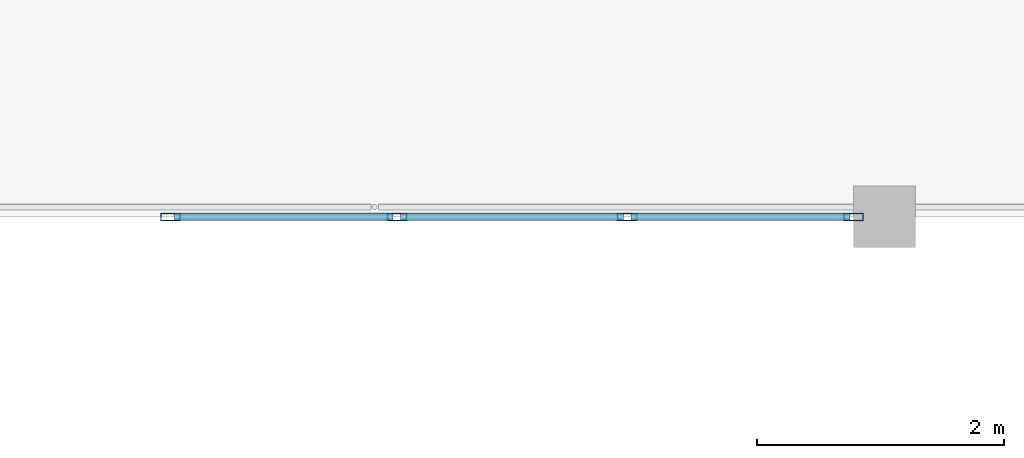
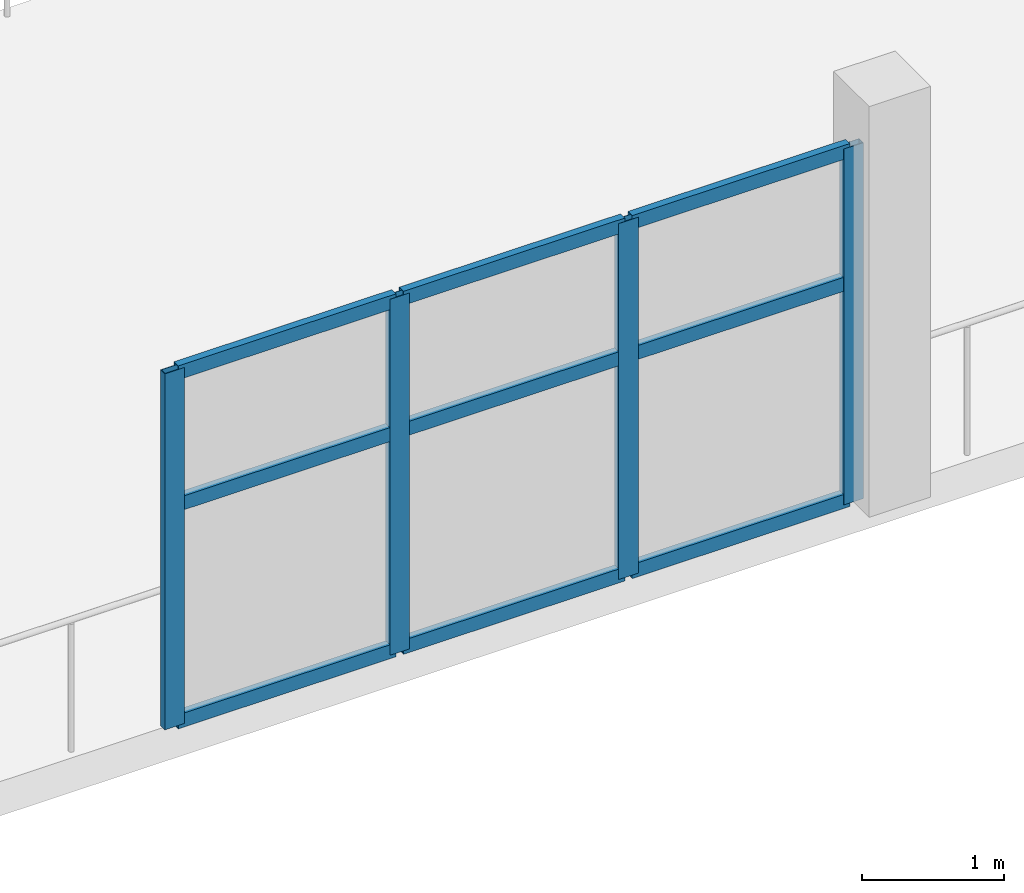
# One storey, part 29 of 128: 13 members, 1 element without a shape of its own.
"""IFC4 building model written with IfcOpenShell, lengths in metres."""

import ifcopenshell
import ifcopenshell.guid

model = None  # the IFC model being written
_history = None  # IfcOwnerHistory: only IFC2X3 demands one
_inside = {}  # id of a spatial element -> (the spatial element, [elements in it])
_under = {}  # id of a project, library or spatial element -> (it, [spatial elements below it])
_declared = {}  # id of a project -> (the project, [libraries it declares])
_typed = {}  # id of a type object -> (the type object, [elements of that type])
_made_of = {}  # id of a material, layer set ... -> (it, [elements and type objects made of it])


def new_model(schema):
    """Start an empty IFC model of exactly this schema.

    Asked for "IFC4X3", IfcOpenShell would pick the latest addendum, in which some entities
    have other attributes; the version numbers below select the first issue.
    IFC2X3 requires an IfcOwnerHistory on every rooted entity: one is made here for all.
    """
    global model, _history
    if schema == "IFC4X3":
        model = ifcopenshell.file(schema_version=(4, 3, 0, 0))
    else:
        model = ifcopenshell.file(schema=schema)
    _inside.clear()
    _under.clear()
    _declared.clear()
    _typed.clear()
    _made_of.clear()
    _history = None
    if model.schema == "IFC2X3":
        org = make("IfcOrganization", Name="unknown")
        user = make(
            "IfcPersonAndOrganization",
            ThePerson=make("IfcPerson", FamilyName="unknown"),
            TheOrganization=org,
        )
        app = make(
            "IfcApplication",
            ApplicationDeveloper=org,
            Version="unknown",
            ApplicationFullName="unknown",
            ApplicationIdentifier="unknown",
        )
        _history = make(
            "IfcOwnerHistory",
            OwningUser=user,
            OwningApplication=app,
            ChangeAction="ADDED",
            CreationDate=0,
        )
    return model


def make(cls, **values):
    """One entity of the class cls with the attributes given. An attribute that is None is left unset."""
    return model.create_entity(
        cls, **{name: value for name, value in values.items() if value is not None}
    )


def rooted(cls, **values):
    """An entity with a GlobalId (a new one), such as an element, a storey or a relation."""
    return make(cls, GlobalId=ifcopenshell.guid.new(), OwnerHistory=_history, **values)


def si_unit(unit_type, name, prefix=None):
    """IfcSIUnit, for example si_unit("LENGTHUNIT", "METRE", prefix="MILLI")."""
    return make("IfcSIUnit", UnitType=unit_type, Prefix=prefix, Name=name)


def assignment(units):
    """IfcUnitAssignment: the units of a project."""
    return None if units is None else make("IfcUnitAssignment", Units=units)


def point(xyz):
    """IfcCartesianPoint."""
    return None if xyz is None else make("IfcCartesianPoint", Coordinates=xyz)


def direction(xyz):
    """IfcDirection."""
    return None if xyz is None else make("IfcDirection", DirectionRatios=xyz)


def frame(location, z_axis=None, x_axis=None):
    """IfcAxis2Placement3D, a coordinate frame: its origin and axes. An axis left out is left unset."""
    return make(
        "IfcAxis2Placement3D",
        Location=point(location),
        Axis=direction(z_axis),
        RefDirection=direction(x_axis),
    )


def frame_2d(location, x_axis=None):
    """IfcAxis2Placement2D, a coordinate frame in the plane: its origin and x axis."""
    return make(
        "IfcAxis2Placement2D", Location=point(location), RefDirection=direction(x_axis)
    )


def origin():
    """The frame at (0, 0, 0) with its axes left unset."""
    return frame((0.0, 0.0, 0.0))


def origin_2d():
    """The frame at (0, 0) in the plane with its x axis left unset."""
    return frame_2d((0.0, 0.0))


def place(relative_to, where):
    """IfcLocalPlacement: puts the frame where relative to a parent placement (None: the world)."""
    return make(
        "IfcLocalPlacement", PlacementRelTo=relative_to, RelativePlacement=where
    )


def context(
    kind, dimensions, precision=None, world=None, true_north=None, identifier=None
):
    """IfcGeometricRepresentationContext, for example the 3D "Model" context."""
    return make(
        "IfcGeometricRepresentationContext",
        ContextIdentifier=identifier,
        ContextType=kind,
        CoordinateSpaceDimension=dimensions,
        Precision=precision,
        WorldCoordinateSystem=world,
        TrueNorth=true_north,
    )


def subcontext(parent, identifier, kind, view, scale=None):
    """IfcGeometricRepresentationSubContext, for example "Body" below "Model"."""
    return make(
        "IfcGeometricRepresentationSubContext",
        ContextIdentifier=identifier,
        ContextType=kind,
        ParentContext=parent,
        TargetScale=scale,
        TargetView=view,
    )


def project(units=None, contexts=None):
    """IfcProject with its units and contexts."""
    return rooted(
        "IfcProject",
        Name="project",
        RepresentationContexts=contexts,
        UnitsInContext=assignment(units),
    )


def spatial(cls, under=None, at=None, **own):
    """A site, building, storey or space (cls), placed at a placement, below another one or the project."""
    s = rooted(cls, ObjectPlacement=at, **own)
    if under is not None:
        _under.setdefault(under.id(), (under, []))[1].append(s)
    return s


def profile(cls, at=None, kind="AREA", **sizes):
    """A parametric profile (cls). Its sizes go by their IFC names, for example OverallWidth=200.0."""
    return make(cls, ProfileType=kind, Position=at, **sizes)


def hollow_rectangle(**sizes):
    """IfcRectangleHollowProfileDef."""
    return profile("IfcRectangleHollowProfileDef", **sizes)


def extrude(swept, where, along, depth):
    """IfcExtrudedAreaSolid: the profile swept, set in the frame where, extruded along a direction by depth."""
    return make(
        "IfcExtrudedAreaSolid",
        SweptArea=swept,
        Position=where,
        ExtrudedDirection=direction(along),
        Depth=depth,
    )


def shape(context_of_items, identifier, shape_type, items):
    """IfcShapeRepresentation: the items that make up one representation, for example the "Body"."""
    return make(
        "IfcShapeRepresentation",
        ContextOfItems=context_of_items,
        RepresentationIdentifier=identifier,
        RepresentationType=shape_type,
        Items=items,
    )


def material(Name=None, Category=None):
    """IfcMaterial."""
    return make("IfcMaterial", Name=Name, Category=Category)


def material_profile(
    of_material, cross_section, Name=None, Category=None, Priority=None
):
    """IfcMaterialProfile: a cross section and its material."""
    return make(
        "IfcMaterialProfile",
        Name=Name,
        Material=of_material,
        Profile=cross_section,
        Priority=Priority,
        Category=Category,
    )


def profile_set(profiles, Name=None, composite=None):
    """IfcMaterialProfileSet."""
    return make(
        "IfcMaterialProfileSet",
        Name=Name,
        MaterialProfiles=profiles,
        CompositeProfile=composite,
    )


def made_of(thing, what):
    """Note that an element or type object is made of a material, layer set ...; save() writes the relation."""
    if what is not None:
        _made_of.setdefault(what.id(), (what, []))[1].append(thing)
    return thing


def type_object(cls, material=None, **own):
    """A type object (cls), such as IfcWallType, which elements share."""
    return made_of(rooted(cls, **own), material)


def element(
    cls,
    number,
    at=None,
    inside=None,
    cuts=None,
    type_object=None,
    material=None,
    context=None,
    identifier="Body",
    shape_type=None,
    held_by="IfcProductDefinitionShape",
    body=None,
    shapes=None,
    **own,
):
    """One element of the class cls, such as IfcWall. Its Tag is "e" and its number.

    at: its placement. inside: the storey or other place that contains it. cuts: it is an
    opening in that element (IfcRelVoidsElement). A single representation is given by context,
    identifier, shape_type and body (its items); several are given by shapes. held_by: the class
    of the entity that holds the representations. save() writes the other relations.
    """
    e = rooted(cls, Tag="e%d" % number, ObjectPlacement=at, **own)
    if body is not None:
        shapes = [shape(context, identifier, shape_type, body)]
    if shapes is not None:
        e.Representation = make(held_by, Representations=shapes)
    if inside is not None:
        _inside.setdefault(inside.id(), (inside, []))[1].append(e)
    if cuts is not None:
        rooted(
            "IfcRelVoidsElement", RelatingBuildingElement=cuts, RelatedOpeningElement=e
        )
    if type_object is not None:
        _typed.setdefault(type_object.id(), (type_object, []))[1].append(e)
    return made_of(e, material)


def aggregate(whole, parts):
    """IfcRelAggregates: a whole, such as a stair, and the parts it consists of."""
    return rooted("IfcRelAggregates", RelatingObject=whole, RelatedObjects=parts)


def save(model, path):
    """Write the relations noted so far, then the file.

    IfcRelAggregates (storeys below a building ...), IfcRelContainedInSpatialStructure (elements
    in a storey), IfcRelDefinesByType, IfcRelAssociatesMaterial and IfcRelDeclares: one each for
    every whole, place, type object, material and project.
    """
    for whole, parts in _under.values():
        aggregate(whole, parts)
    for where, things in _inside.values():
        rooted(
            "IfcRelContainedInSpatialStructure",
            RelatedElements=things,
            RelatingStructure=where,
        )
    for kind, things in _typed.values():
        rooted("IfcRelDefinesByType", RelatedObjects=things, RelatingType=kind)
    for what, things in _made_of.values():
        rooted("IfcRelAssociatesMaterial", RelatedObjects=things, RelatingMaterial=what)
    for by, libraries in _declared.values():
        rooted("IfcRelDeclares", RelatingContext=by, RelatedDefinitions=libraries)
    model.write(path)


model = new_model("IFC4")

# Units and contexts
model_context = context("Model", 3, precision=1e-05, world=origin(), true_north=direction((0.0, 1.0)))
body_context = subcontext(model_context, "Body", "Model", "MODEL_VIEW")
ifc_project = project(units=[si_unit("LENGTHUNIT", "METRE"), si_unit("AREAUNIT", "SQUARE_METRE"), si_unit("VOLUMEUNIT", "CUBIC_METRE"), si_unit("PLANEANGLEUNIT", "RADIAN"), si_unit("MASSUNIT", "GRAM", prefix="KILO")], contexts=[model_context])

# Site, building, storey
site_placement = place(None, origin())
site = spatial("IfcSite", under=ifc_project, at=site_placement, CompositionType="ELEMENT")
building_placement = place(site_placement, origin())
building = spatial("IfcBuilding", under=site, at=building_placement, Name="Tanwirah Colonnade Gardens", CompositionType="ELEMENT")
storey_placement = place(building_placement, frame((0.0, 0.0, 4.760009765625)))
storey = spatial("IfcBuildingStorey", under=building, at=storey_placement, Name="L01", CompositionType="ELEMENT", Elevation=4.760009765625)

# Curtain wall, members
ifc_material_1 = material(Name="Bronze-anodised aluminium and solar-control low-E glass", Category="aluminium")
curtain_wall_type = type_object("IfcCurtainWallType", Name="CW-HALL", PredefinedType="NOTDEFINED", material=ifc_material_1)
curtain_wall_placement = place(storey_placement, origin())
curtain_wall = element("IfcCurtainWall", 1, at=curtain_wall_placement, inside=storey, type_object=curtain_wall_type, Name="Curtain Wall CW-HALL-L01-S-2", PredefinedType="NOTDEFINED")
ifc_material_2 = material(Name="Bronze-anodised aluminium", Category="aluminium")
ifc_material_profile_1 = material_profile(ifc_material_2, hollow_rectangle(XDim=0.06005859375, YDim=0.159912109375, WallThickness=0.00390625, at=origin_2d()), Name="CW-MUL 60x160x4")
ifc_profile_set_1 = profile_set([ifc_material_profile_1], Name="Bronze-anodised aluminium")
member_type_1 = type_object("IfcMemberType", Name="CWM-60x160", PredefinedType="MULLION", material=ifc_profile_set_1)
member_1_placement = place(storey_placement, frame((93.429931640625, 39.800048828125, 0.0), z_axis=(0.0, 0.0, 1.0), x_axis=(0.0, 1.0, 0.0)))
member_1 = element("IfcMember", 2, at=member_1_placement, type_object=member_type_1, Name="CW-HALL mullion 1", PredefinedType="MULLION", context=body_context, shape_type="SweptSolid", body=[
    extrude(hollow_rectangle(XDim=0.06005859375, YDim=0.159912109375, WallThickness=0.00390625, at=origin_2d()), origin(), (0.0, 0.0, 1.0), 3.06005859375),
])
member_2_placement = place(storey_placement, frame((95.260009765625, 39.800048828125, 0.0), z_axis=(0.0, 0.0, 1.0), x_axis=(0.0, 1.0, 0.0)))
member_2 = element("IfcMember", 3, at=member_2_placement, type_object=member_type_1, Name="CW-HALL mullion 2", PredefinedType="MULLION", context=body_context, shape_type="SweptSolid", body=[
    extrude(hollow_rectangle(XDim=0.06005859375, YDim=0.159912109375, WallThickness=0.00390625, at=origin_2d()), origin(), (0.0, 0.0, 1.0), 3.06005859375),
])
member_3_placement = place(storey_placement, frame((97.1201171875, 39.800048828125, 0.0), z_axis=(0.0, 0.0, 1.0), x_axis=(0.0, 1.0, 0.0)))
member_3 = element("IfcMember", 4, at=member_3_placement, type_object=member_type_1, Name="CW-HALL mullion 3", PredefinedType="MULLION", context=body_context, shape_type="SweptSolid", body=[
    extrude(hollow_rectangle(XDim=0.06005859375, YDim=0.159912109375, WallThickness=0.00390625, at=origin_2d()), origin(), (0.0, 0.0, 1.0), 3.06005859375),
])
member_4_placement = place(storey_placement, frame((98.949951171875, 39.800048828125, 0.0), z_axis=(0.0, 0.0, 1.0), x_axis=(0.0, 1.0, 0.0)))
member_4 = element("IfcMember", 5, at=member_4_placement, type_object=member_type_1, Name="CW-HALL mullion 4", PredefinedType="MULLION", context=body_context, shape_type="SweptSolid", body=[
    extrude(hollow_rectangle(XDim=0.06005859375, YDim=0.159912109375, WallThickness=0.00390625, at=origin_2d()), origin(), (0.0, 0.0, 1.0), 3.06005859375),
])
ifc_material_profile_2 = material_profile(ifc_material_2, hollow_rectangle(XDim=0.06005859375, YDim=0.1201171875, WallThickness=0.00390625, at=origin_2d()), Name="CW-TRN 60x120x4")
ifc_profile_set_2 = profile_set([ifc_material_profile_2], Name="Bronze-anodised aluminium")
member_type_2 = type_object("IfcMemberType", Name="CWT-60x120", PredefinedType="USERDEFINED", material=ifc_profile_set_2)
member_5_placement = place(storey_placement, frame((93.4599609375, 39.800048828125, 0.030029296875), z_axis=(1.0, 0.0, 0.0), x_axis=(0.0, 1.0, 0.0)))
member_5 = element("IfcMember", 6, at=member_5_placement, type_object=member_type_2, Name="CW-HALL transom 1.1", ObjectType="TRANSOM", PredefinedType="USERDEFINED", context=body_context, shape_type="SweptSolid", body=[
    extrude(hollow_rectangle(XDim=0.06005859375, YDim=0.1201171875, WallThickness=0.00390625, at=origin_2d()), origin(), (0.0, 0.0, 1.0), 1.77001953125),
])
member_6_placement = place(storey_placement, frame((93.4599609375, 39.800048828125, 1.897216796875), z_axis=(1.0, 0.0, 0.0), x_axis=(0.0, 1.0, 0.0)))
member_6 = element("IfcMember", 7, at=member_6_placement, type_object=member_type_2, Name="CW-HALL transom 1.2", ObjectType="TRANSOM", PredefinedType="USERDEFINED", context=body_context, shape_type="SweptSolid", body=[
    extrude(hollow_rectangle(XDim=0.06005859375, YDim=0.1201171875, WallThickness=0.00390625, at=origin_2d()), origin(), (0.0, 0.0, 1.0), 1.77001953125),
])
member_7_placement = place(storey_placement, frame((93.4599609375, 39.800048828125, 3.030029296875), z_axis=(1.0, 0.0, 0.0), x_axis=(0.0, 1.0, 0.0)))
member_7 = element("IfcMember", 8, at=member_7_placement, type_object=member_type_2, Name="CW-HALL transom 1.3", ObjectType="TRANSOM", PredefinedType="USERDEFINED", context=body_context, shape_type="SweptSolid", body=[
    extrude(hollow_rectangle(XDim=0.06005859375, YDim=0.1201171875, WallThickness=0.00390625, at=origin_2d()), origin(), (0.0, 0.0, 1.0), 1.77001953125),
])
member_8_placement = place(storey_placement, frame((95.2900390625, 39.800048828125, 0.030029296875), z_axis=(1.0, 0.0, 0.0), x_axis=(0.0, 1.0, 0.0)))
member_8 = element("IfcMember", 9, at=member_8_placement, type_object=member_type_2, Name="CW-HALL transom 2.1", ObjectType="TRANSOM", PredefinedType="USERDEFINED", context=body_context, shape_type="SweptSolid", body=[
    extrude(hollow_rectangle(XDim=0.06005859375, YDim=0.1201171875, WallThickness=0.00390625, at=origin_2d()), origin(), (0.0, 0.0, 1.0), 1.800048828125),
])
member_9_placement = place(storey_placement, frame((95.2900390625, 39.800048828125, 1.897216796875), z_axis=(1.0, 0.0, 0.0), x_axis=(0.0, 1.0, 0.0)))
member_9 = element("IfcMember", 10, at=member_9_placement, type_object=member_type_2, Name="CW-HALL transom 2.2", ObjectType="TRANSOM", PredefinedType="USERDEFINED", context=body_context, shape_type="SweptSolid", body=[
    extrude(hollow_rectangle(XDim=0.06005859375, YDim=0.1201171875, WallThickness=0.00390625, at=origin_2d()), origin(), (0.0, 0.0, 1.0), 1.800048828125),
])
member_10_placement = place(storey_placement, frame((95.2900390625, 39.800048828125, 3.030029296875), z_axis=(1.0, 0.0, 0.0), x_axis=(0.0, 1.0, 0.0)))
member_10 = element("IfcMember", 11, at=member_10_placement, type_object=member_type_2, Name="CW-HALL transom 2.3", ObjectType="TRANSOM", PredefinedType="USERDEFINED", context=body_context, shape_type="SweptSolid", body=[
    extrude(hollow_rectangle(XDim=0.06005859375, YDim=0.1201171875, WallThickness=0.00390625, at=origin_2d()), origin(), (0.0, 0.0, 1.0), 1.800048828125),
])
member_11_placement = place(storey_placement, frame((97.14990234375, 39.800048828125, 0.030029296875), z_axis=(1.0, 0.0, 0.0), x_axis=(0.0, 1.0, 0.0)))
member_11 = element("IfcMember", 12, at=member_11_placement, type_object=member_type_2, Name="CW-HALL transom 3.1", ObjectType="TRANSOM", PredefinedType="USERDEFINED", context=body_context, shape_type="SweptSolid", body=[
    extrude(hollow_rectangle(XDim=0.06005859375, YDim=0.1201171875, WallThickness=0.00390625, at=origin_2d()), origin(), (0.0, 0.0, 1.0), 1.77001953125),
])
member_12_placement = place(storey_placement, frame((97.14990234375, 39.800048828125, 1.897216796875), z_axis=(1.0, 0.0, 0.0), x_axis=(0.0, 1.0, 0.0)))
member_12 = element("IfcMember", 13, at=member_12_placement, type_object=member_type_2, Name="CW-HALL transom 3.2", ObjectType="TRANSOM", PredefinedType="USERDEFINED", context=body_context, shape_type="SweptSolid", body=[
    extrude(hollow_rectangle(XDim=0.06005859375, YDim=0.1201171875, WallThickness=0.00390625, at=origin_2d()), origin(), (0.0, 0.0, 1.0), 1.77001953125),
])
member_13_placement = place(storey_placement, frame((97.14990234375, 39.800048828125, 3.030029296875), z_axis=(1.0, 0.0, 0.0), x_axis=(0.0, 1.0, 0.0)))
member_13 = element("IfcMember", 14, at=member_13_placement, type_object=member_type_2, Name="CW-HALL transom 3.3", ObjectType="TRANSOM", PredefinedType="USERDEFINED", context=body_context, shape_type="SweptSolid", body=[
    extrude(hollow_rectangle(XDim=0.06005859375, YDim=0.1201171875, WallThickness=0.00390625, at=origin_2d()), origin(), (0.0, 0.0, 1.0), 1.77001953125),
])
aggregate(curtain_wall, [member_1, member_2, member_3, member_4, member_5, member_6, member_7, member_8, member_9, member_10, member_11, member_12, member_13])

save(model, "model.ifc")
